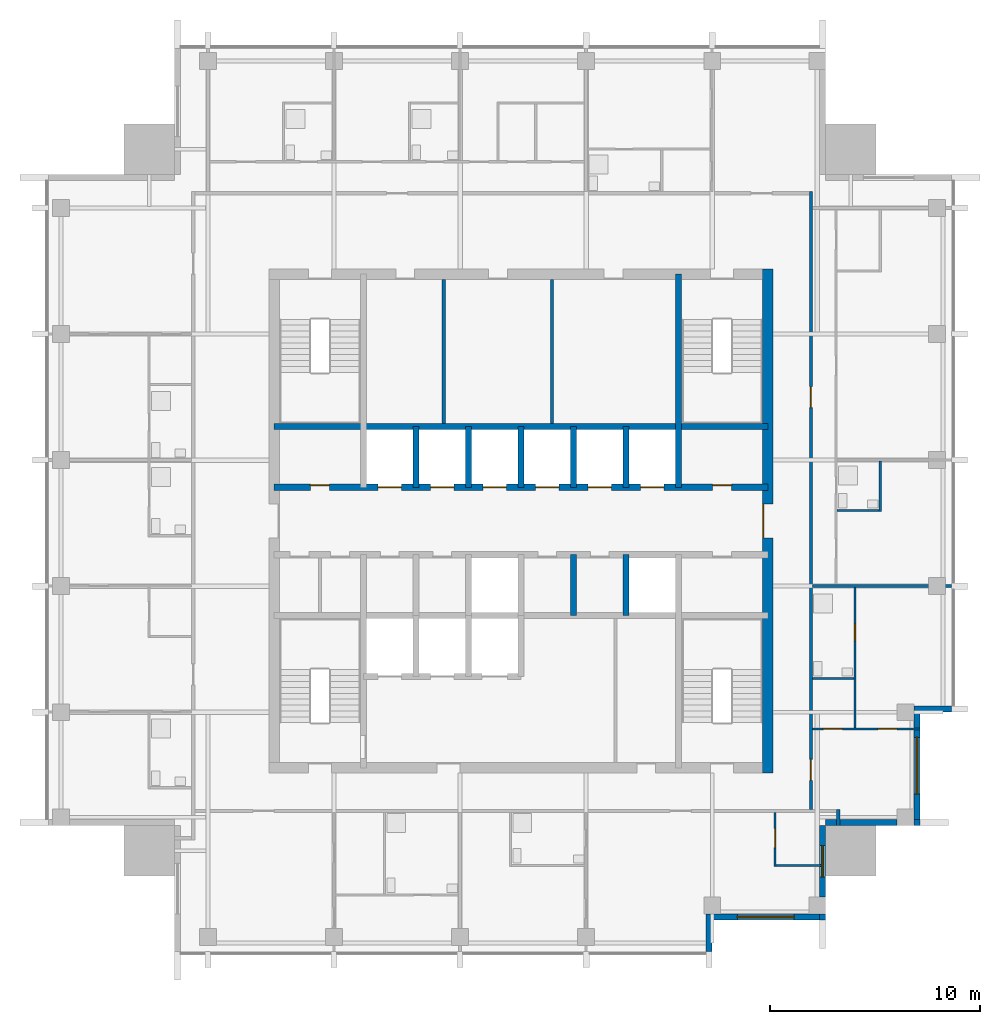
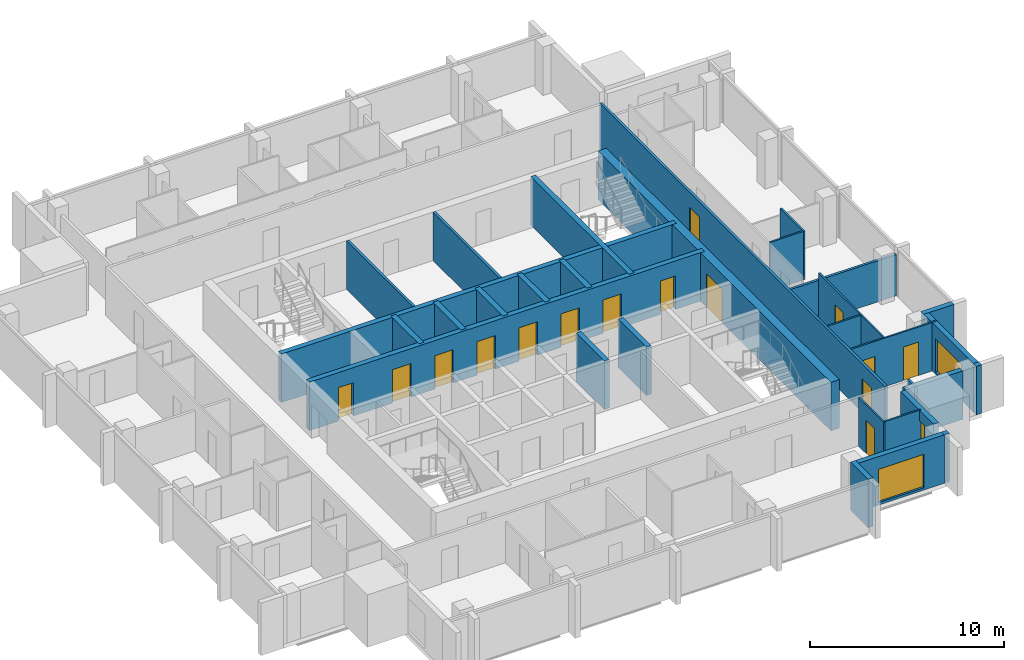
# One storey, part 5 of 9: 31 walls, 15 doors, 3 windows, 18 openings.
"""IFC4 building model written with IfcOpenShell, lengths in metres."""

from ifc_helpers import new_model, si_unit, direction, frame, frame_2d, origin, place, context, subcontext, project, spatial, rectangle, extrude, material, layer, layer_set, type_object, element, fill, save


model = new_model("IFC4")

# Units and contexts
model_context = context("Model", 3, precision=1e-05, world=origin(), true_north=direction((0.0, 1.0)))
body_context = subcontext(model_context, "Body", "Model", "MODEL_VIEW")
ifc_project = project(units=[si_unit("LENGTHUNIT", "METRE"), si_unit("AREAUNIT", "SQUARE_METRE"), si_unit("VOLUMEUNIT", "CUBIC_METRE"), si_unit("PLANEANGLEUNIT", "RADIAN"), si_unit("MASSUNIT", "GRAM", prefix="KILO")], contexts=[model_context])

# Site, building, storey
site_placement = place(None, origin())
site = spatial("IfcSite", under=ifc_project, at=site_placement, CompositionType="ELEMENT")
building_placement = place(site_placement, origin())
building = spatial("IfcBuilding", under=site, at=building_placement, Name="Amberfall Residences", CompositionType="ELEMENT")
storey_placement = place(building_placement, frame((0.0, 0.0, 252.10009765625)))
storey = spatial("IfcBuildingStorey", under=building, at=storey_placement, Name="L67", CompositionType="ELEMENT", Elevation=252.10009765625)

# Walls
ifc_material_1 = material(Name="Pale stone cladding on insulated backing", Category="masonry")
ifc_layer_1 = layer(ifc_material_1, 0.300048828125)
ifc_layer_set_1 = layer_set([ifc_layer_1], Name="Bronze clad wall 300")
wall_type_1 = type_object("IfcWallType", Name="Bronze clad wall 300", PredefinedType="SOLIDWALL", material=ifc_layer_set_1)
wall_1_placement = place(storey_placement, frame((83.449951171875, 25.0, 0.0), z_axis=(0.0, 0.0, 1.0), x_axis=(0.0, 1.0, 0.0)))
element("IfcWall", 1, at=wall_1_placement, inside=storey, type_object=wall_type_1, Name="External wall L67 S", PredefinedType="SOLIDWALL", context=body_context, shape_type="SweptSolid", body=[
    extrude(rectangle(XDim=1.800048828125, YDim=0.300048828125, at=frame_2d((0.89990234375, 0.0))), origin(), (0.0, 0.0, 1.0), 3.0498046875),
])
wall_2_placement = place(storey_placement, frame((88.85009765625, 26.5, 0.0), z_axis=(0.0, 0.0, 1.0), x_axis=(0.0, 1.0, 0.0)))
element("IfcWall", 2, at=wall_2_placement, inside=storey, type_object=wall_type_1, Name="External wall L67 SE", PredefinedType="SOLIDWALL", context=body_context, shape_type="SweptSolid", body=[
    extrude(rectangle(XDim=0.300048828125, YDim=0.300048828125, at=frame_2d((0.14990234375, 0.0))), origin(), (0.0, 0.0, 1.0), 3.0498046875),
])

# Wall, opening, window
wall_3_placement = place(storey_placement, frame((88.85009765625, 27.60009765625, 0.0), z_axis=(0.0, 0.0, 1.0), x_axis=(0.0, 1.0, 0.0)))
wall_3 = element("IfcWall", 3, at=wall_3_placement, inside=storey, type_object=wall_type_1, Name="External wall L67 SE", PredefinedType="SOLIDWALL", context=body_context, shape_type="SweptSolid", body=[
    extrude(rectangle(XDim=3.39990234375, YDim=0.300048828125, at=frame_2d((1.699951171875, 0.0))), origin(), (0.0, 0.0, 1.0), 3.0498046875),
])
opening_1_placement = place(wall_3_placement, frame((0.949951171875, 0.0, 0.89990234375)))
opening_1 = element("IfcOpeningElement", 4, at=opening_1_placement, cuts=wall_3, Name="Opening WN1", PredefinedType="OPENING", context=body_context, shape_type="SweptSolid", body=[
    extrude(rectangle(XDim=1.5, YDim=1.5, at=frame_2d((0.75, 0.75))), frame((0.0, 0.159912109375, 0.0), z_axis=(0.0, -1.0, 0.0), x_axis=(1.0, 0.0, 0.0)), (0.0, 0.0, 1.0), 0.320068359375),
])
ifc_material_2 = material(Name="Bronze aluminium framed glazing", Category="aluminium")
window_type_1 = type_object("IfcWindowType", Name="Window 1500 x 1500 bronze", PartitioningType="DOUBLE_PANEL_VERTICAL", PredefinedType="WINDOW", material=ifc_material_2)
window_1_placement = place(opening_1_placement, origin())
window_1 = element("IfcWindow", 5, at=window_1_placement, inside=storey, type_object=window_type_1, Name="Window L67 SE", OverallHeight=1.5, OverallWidth=1.5, PartitioningType="DOUBLE_PANEL_VERTICAL", PredefinedType="WINDOW", context=body_context, shape_type="SweptSolid", body=[
    extrude(rectangle(XDim=1.5, YDim=1.5, at=frame_2d((0.75, 0.75))), frame((0.0, 0.030029296875, 0.0), z_axis=(0.0, -1.0, 0.0), x_axis=(1.0, 0.0, 0.0)), (0.0, 0.0, 1.0), 0.06005859375),
])
fill(opening_1, window_1)

# Walls
wall_4_placement = place(storey_placement, frame((89.0, 31.14990234375, 0.0), z_axis=(0.0, 0.0, 1.0), x_axis=(1.0, 0.0, 0.0)))
element("IfcWall", 6, at=wall_4_placement, inside=storey, type_object=wall_type_1, Name="External wall L67 SE", PredefinedType="SOLIDWALL", context=body_context, shape_type="SweptSolid", body=[
    extrude(rectangle(XDim=3.39990234375, YDim=0.300048828125, at=frame_2d((1.699951171875, 0.0))), origin(), (0.0, 0.0, 1.0), 3.0498046875),
])
wall_5_placement = place(storey_placement, frame((93.199951171875, 31.14990234375, 0.0), z_axis=(0.0, 0.0, 1.0), x_axis=(1.0, 0.0, 0.0)))
element("IfcWall", 7, at=wall_5_placement, inside=storey, type_object=wall_type_1, Name="External wall L67 SE", PredefinedType="SOLIDWALL", context=body_context, shape_type="SweptSolid", body=[
    extrude(rectangle(XDim=0.300048828125, YDim=0.300048828125, at=frame_2d((0.14990234375, 0.0))), origin(), (0.0, 0.0, 1.0), 3.0498046875),
])
wall_6_placement = place(storey_placement, frame((93.199951171875, 36.550048828125, 0.0), z_axis=(0.0, 0.0, 1.0), x_axis=(1.0, 0.0, 0.0)))
element("IfcWall", 8, at=wall_6_placement, inside=storey, type_object=wall_type_1, Name="External wall L67 E", PredefinedType="SOLIDWALL", context=body_context, shape_type="SweptSolid", body=[
    extrude(rectangle(XDim=1.800048828125, YDim=0.300048828125, at=frame_2d((0.89990234375, 0.0))), origin(), (0.0, 0.0, 1.0), 3.0498046875),
])

# Wall, opening, window
wall_7_placement = place(storey_placement, frame((83.60009765625, 26.64990234375, 0.0), z_axis=(0.0, 0.0, 1.0), x_axis=(1.0, 0.0, 0.0)))
wall_7 = element("IfcWall", 9, at=wall_7_placement, inside=storey, type_object=wall_type_1, Name="Stone wall L67 S", PredefinedType="SOLIDWALL", context=body_context, shape_type="SweptSolid", body=[
    extrude(rectangle(XDim=5.099853515625, YDim=0.300048828125, at=frame_2d((2.5498046875, 0.0))), origin(), (0.0, 0.0, 1.0), 3.0498046875),
])
opening_2_placement = place(wall_7_placement, frame((1.199951171875, 0.0, 0.14990234375)))
opening_2 = element("IfcOpeningElement", 10, at=opening_2_placement, cuts=wall_7, Name="Opening WN4", PredefinedType="OPENING", context=body_context, shape_type="SweptSolid", body=[
    extrude(rectangle(XDim=2.699951171875, YDim=2.10009765625, at=frame_2d((1.35009765625, 1.050048828125))), frame((0.0, 0.159912109375, 0.0), z_axis=(0.0, -1.0, 0.0), x_axis=(1.0, 0.0, 0.0)), (0.0, 0.0, 1.0), 0.320068359375),
])
window_type_2 = type_object("IfcWindowType", Name="Glazed opening 2700 x 2100 bronze", PartitioningType="DOUBLE_PANEL_VERTICAL", PredefinedType="WINDOW", material=ifc_material_2)
window_2_placement = place(opening_2_placement, origin())
window_2 = element("IfcWindow", 11, at=window_2_placement, inside=storey, type_object=window_type_2, Name="Window L67 S", OverallHeight=2.10009765625, OverallWidth=2.699951171875, PartitioningType="DOUBLE_PANEL_VERTICAL", PredefinedType="WINDOW", context=body_context, shape_type="SweptSolid", body=[
    extrude(rectangle(XDim=2.699951171875, YDim=2.10009765625, at=frame_2d((1.35009765625, 1.050048828125))), frame((0.0, 0.030029296875, 0.0), z_axis=(0.0, -1.0, 0.0), x_axis=(1.0, 0.0, 0.0)), (0.0, 0.0, 1.0), 0.06005859375),
])
fill(opening_2, window_2)

wall_8_placement = place(storey_placement, frame((93.35009765625, 31.300048828125, 0.0), z_axis=(0.0, 0.0, 1.0), x_axis=(0.0, 1.0, 0.0)))
wall_8 = element("IfcWall", 12, at=wall_8_placement, inside=storey, type_object=wall_type_1, Name="Stone wall L67 E", PredefinedType="SOLIDWALL", context=body_context, shape_type="SweptSolid", body=[
    extrude(rectangle(XDim=5.099853515625, YDim=0.300048828125, at=frame_2d((2.5498046875, 0.0))), origin(), (0.0, 0.0, 1.0), 3.0498046875),
])
opening_3_placement = place(wall_8_placement, frame((1.199951171875, 0.0, 0.14990234375)))
opening_3 = element("IfcOpeningElement", 13, at=opening_3_placement, cuts=wall_8, Name="Opening WN4", PredefinedType="OPENING", context=body_context, shape_type="SweptSolid", body=[
    extrude(rectangle(XDim=2.699951171875, YDim=2.10009765625, at=frame_2d((1.35009765625, 1.050048828125))), frame((0.0, 0.159912109375, 0.0), z_axis=(0.0, -1.0, 0.0), x_axis=(1.0, 0.0, 0.0)), (0.0, 0.0, 1.0), 0.320068359375),
])
window_3_placement = place(opening_3_placement, origin())
window_3 = element("IfcWindow", 14, at=window_3_placement, inside=storey, type_object=window_type_2, Name="Window L67 E", OverallHeight=2.10009765625, OverallWidth=2.699951171875, PartitioningType="DOUBLE_PANEL_VERTICAL", PredefinedType="WINDOW", context=body_context, shape_type="SweptSolid", body=[
    extrude(rectangle(XDim=2.699951171875, YDim=2.10009765625, at=frame_2d((1.35009765625, 1.050048828125))), frame((0.0, 0.030029296875, 0.0), z_axis=(0.0, -1.0, 0.0), x_axis=(1.0, 0.0, 0.0)), (0.0, 0.0, 1.0), 0.06005859375),
])
fill(opening_3, window_3)

# Wall, openings, doors
ifc_material_3 = material(Name="Concrete C50", Category="concrete")
ifc_layer_2 = layer(ifc_material_3, 0.300048828125)
ifc_layer_set_2 = layer_set([ifc_layer_2], Name="Core wall 300 C50")
wall_type_2 = type_object("IfcWallType", Name="Core wall 300 C50", PredefinedType="SHEAR", material=ifc_layer_set_2)
wall_9_placement = place(storey_placement, frame((62.75, 47.10009765625, 0.0), z_axis=(0.0, 0.0, 1.0), x_axis=(1.0, 0.0, 0.0)))
wall_9 = element("IfcWall", 15, at=wall_9_placement, inside=storey, type_object=wall_type_2, Name="Core wall RW10 L67 H136", PredefinedType="SHEAR", context=body_context, shape_type="SweptSolid", body=[
    extrude(rectangle(XDim=23.5, YDim=0.300048828125, at=frame_2d((11.75, 0.0))), origin(), (0.0, 0.0, 1.0), 3.0498046875),
])
opening_4_placement = place(wall_9_placement, frame((1.72509765625, 0.0, 0.0)))
opening_4 = element("IfcOpeningElement", 16, at=opening_4_placement, cuts=wall_9, Name="Opening RD1", PredefinedType="OPENING", context=body_context, shape_type="SweptSolid", body=[
    extrude(rectangle(XDim=0.89990234375, YDim=2.10009765625, at=frame_2d((0.449951171875, 1.050048828125))), frame((0.0, 0.159912109375, 0.0), z_axis=(0.0, -1.0, 0.0), x_axis=(1.0, 0.0, 0.0)), (0.0, 0.0, 1.0), 0.320068359375),
])
opening_5_placement = place(wall_9_placement, frame((20.875, 0.0, 0.0)))
opening_5 = element("IfcOpeningElement", 17, at=opening_5_placement, cuts=wall_9, Name="Opening RD1", PredefinedType="OPENING", context=body_context, shape_type="SweptSolid", body=[
    extrude(rectangle(XDim=0.89990234375, YDim=2.10009765625, at=frame_2d((0.449951171875, 1.050048828125))), frame((0.0, 0.159912109375, 0.0), z_axis=(0.0, -1.0, 0.0), x_axis=(1.0, 0.0, 0.0)), (0.0, 0.0, 1.0), 0.320068359375),
])
opening_6_placement = place(wall_9_placement, frame((4.949951171875, 0.0, 0.0)))
opening_6 = element("IfcOpeningElement", 18, at=opening_6_placement, cuts=wall_9, Name="Opening LD1", PredefinedType="OPENING", context=body_context, shape_type="SweptSolid", body=[
    extrude(rectangle(XDim=1.10009765625, YDim=2.10009765625, at=frame_2d((0.550048828125, 1.050048828125))), frame((0.0, 0.159912109375, 0.0), z_axis=(0.0, -1.0, 0.0), x_axis=(1.0, 0.0, 0.0)), (0.0, 0.0, 1.0), 0.320068359375),
])
opening_7_placement = place(wall_9_placement, frame((7.449951171875, 0.0, 0.0)))
opening_7 = element("IfcOpeningElement", 19, at=opening_7_placement, cuts=wall_9, Name="Opening LD1", PredefinedType="OPENING", context=body_context, shape_type="SweptSolid", body=[
    extrude(rectangle(XDim=1.10009765625, YDim=2.10009765625, at=frame_2d((0.550048828125, 1.050048828125))), frame((0.0, 0.159912109375, 0.0), z_axis=(0.0, -1.0, 0.0), x_axis=(1.0, 0.0, 0.0)), (0.0, 0.0, 1.0), 0.320068359375),
])
opening_8_placement = place(wall_9_placement, frame((9.949951171875, 0.0, 0.0)))
opening_8 = element("IfcOpeningElement", 20, at=opening_8_placement, cuts=wall_9, Name="Opening LD1", PredefinedType="OPENING", context=body_context, shape_type="SweptSolid", body=[
    extrude(rectangle(XDim=1.10009765625, YDim=2.10009765625, at=frame_2d((0.550048828125, 1.050048828125))), frame((0.0, 0.159912109375, 0.0), z_axis=(0.0, -1.0, 0.0), x_axis=(1.0, 0.0, 0.0)), (0.0, 0.0, 1.0), 0.320068359375),
])
opening_9_placement = place(wall_9_placement, frame((12.449951171875, 0.0, 0.0)))
opening_9 = element("IfcOpeningElement", 21, at=opening_9_placement, cuts=wall_9, Name="Opening LD1", PredefinedType="OPENING", context=body_context, shape_type="SweptSolid", body=[
    extrude(rectangle(XDim=1.10009765625, YDim=2.10009765625, at=frame_2d((0.550048828125, 1.050048828125))), frame((0.0, 0.159912109375, 0.0), z_axis=(0.0, -1.0, 0.0), x_axis=(1.0, 0.0, 0.0)), (0.0, 0.0, 1.0), 0.320068359375),
])
opening_10_placement = place(wall_9_placement, frame((14.949951171875, 0.0, 0.0)))
opening_10 = element("IfcOpeningElement", 22, at=opening_10_placement, cuts=wall_9, Name="Opening LD1", PredefinedType="OPENING", context=body_context, shape_type="SweptSolid", body=[
    extrude(rectangle(XDim=1.10009765625, YDim=2.10009765625, at=frame_2d((0.550048828125, 1.050048828125))), frame((0.0, 0.159912109375, 0.0), z_axis=(0.0, -1.0, 0.0), x_axis=(1.0, 0.0, 0.0)), (0.0, 0.0, 1.0), 0.320068359375),
])
opening_11_placement = place(wall_9_placement, frame((17.449951171875, 0.0, 0.0)))
opening_11 = element("IfcOpeningElement", 23, at=opening_11_placement, cuts=wall_9, Name="Opening LD1", PredefinedType="OPENING", context=body_context, shape_type="SweptSolid", body=[
    extrude(rectangle(XDim=1.10009765625, YDim=2.10009765625, at=frame_2d((0.550048828125, 1.050048828125))), frame((0.0, 0.159912109375, 0.0), z_axis=(0.0, -1.0, 0.0), x_axis=(1.0, 0.0, 0.0)), (0.0, 0.0, 1.0), 0.320068359375),
])
ifc_material_4 = material(Name="Steel fire door set", Category="steel")
door_type_1 = type_object("IfcDoorType", Name="Lift landing door 1100 x 2100", OperationType="DOUBLE_DOOR_SLIDING", PredefinedType="DOOR", material=ifc_material_4)
door_1_placement = place(opening_6_placement, origin())
door_1 = element("IfcDoor", 24, at=door_1_placement, inside=storey, type_object=door_type_1, Name="Landing door HP1 L67", OperationType="DOUBLE_DOOR_SLIDING", OverallHeight=2.10009765625, OverallWidth=1.10009765625, PredefinedType="DOOR", context=body_context, shape_type="SweptSolid", body=[
    extrude(rectangle(XDim=1.10009765625, YDim=2.10009765625, at=frame_2d((0.550048828125, 1.050048828125))), frame((0.0, 0.02490234375, 0.0), z_axis=(0.0, -1.0, 0.0), x_axis=(1.0, 0.0, 0.0)), (0.0, 0.0, 1.0), 0.050048828125),
])
fill(opening_6, door_1)
door_2_placement = place(opening_7_placement, origin())
door_2 = element("IfcDoor", 25, at=door_2_placement, inside=storey, type_object=door_type_1, Name="Landing door HP2 L67", OperationType="DOUBLE_DOOR_SLIDING", OverallHeight=2.10009765625, OverallWidth=1.10009765625, PredefinedType="DOOR", context=body_context, shape_type="SweptSolid", body=[
    extrude(rectangle(XDim=1.10009765625, YDim=2.10009765625, at=frame_2d((0.550048828125, 1.050048828125))), frame((0.0, 0.02490234375, 0.0), z_axis=(0.0, -1.0, 0.0), x_axis=(1.0, 0.0, 0.0)), (0.0, 0.0, 1.0), 0.050048828125),
])
fill(opening_7, door_2)
door_3_placement = place(opening_8_placement, origin())
door_3 = element("IfcDoor", 26, at=door_3_placement, inside=storey, type_object=door_type_1, Name="Landing door HP3 L67", OperationType="DOUBLE_DOOR_SLIDING", OverallHeight=2.10009765625, OverallWidth=1.10009765625, PredefinedType="DOOR", context=body_context, shape_type="SweptSolid", body=[
    extrude(rectangle(XDim=1.10009765625, YDim=2.10009765625, at=frame_2d((0.550048828125, 1.050048828125))), frame((0.0, 0.02490234375, 0.0), z_axis=(0.0, -1.0, 0.0), x_axis=(1.0, 0.0, 0.0)), (0.0, 0.0, 1.0), 0.050048828125),
])
fill(opening_8, door_3)
door_4_placement = place(opening_9_placement, origin())
door_4 = element("IfcDoor", 27, at=door_4_placement, inside=storey, type_object=door_type_1, Name="Landing door HP4 L67", OperationType="DOUBLE_DOOR_SLIDING", OverallHeight=2.10009765625, OverallWidth=1.10009765625, PredefinedType="DOOR", context=body_context, shape_type="SweptSolid", body=[
    extrude(rectangle(XDim=1.10009765625, YDim=2.10009765625, at=frame_2d((0.550048828125, 1.050048828125))), frame((0.0, 0.02490234375, 0.0), z_axis=(0.0, -1.0, 0.0), x_axis=(1.0, 0.0, 0.0)), (0.0, 0.0, 1.0), 0.050048828125),
])
fill(opening_9, door_4)
door_5_placement = place(opening_10_placement, origin())
door_5 = element("IfcDoor", 28, at=door_5_placement, inside=storey, type_object=door_type_1, Name="Landing door HP5 L67", OperationType="DOUBLE_DOOR_SLIDING", OverallHeight=2.10009765625, OverallWidth=1.10009765625, PredefinedType="DOOR", context=body_context, shape_type="SweptSolid", body=[
    extrude(rectangle(XDim=1.10009765625, YDim=2.10009765625, at=frame_2d((0.550048828125, 1.050048828125))), frame((0.0, 0.02490234375, 0.0), z_axis=(0.0, -1.0, 0.0), x_axis=(1.0, 0.0, 0.0)), (0.0, 0.0, 1.0), 0.050048828125),
])
fill(opening_10, door_5)
door_6_placement = place(opening_11_placement, origin())
door_6 = element("IfcDoor", 29, at=door_6_placement, inside=storey, type_object=door_type_1, Name="Landing door HP6 L67", OperationType="DOUBLE_DOOR_SLIDING", OverallHeight=2.10009765625, OverallWidth=1.10009765625, PredefinedType="DOOR", context=body_context, shape_type="SweptSolid", body=[
    extrude(rectangle(XDim=1.10009765625, YDim=2.10009765625, at=frame_2d((0.550048828125, 1.050048828125))), frame((0.0, 0.02490234375, 0.0), z_axis=(0.0, -1.0, 0.0), x_axis=(1.0, 0.0, 0.0)), (0.0, 0.0, 1.0), 0.050048828125),
])
fill(opening_11, door_6)
door_type_2 = type_object("IfcDoorType", Name="Service room door 900 x 2100", OperationType="SINGLE_SWING_LEFT", PredefinedType="DOOR", material=ifc_material_4)
door_7_placement = place(opening_4_placement, origin())
door_7 = element("IfcDoor", 30, at=door_7_placement, inside=storey, type_object=door_type_2, Name="RD1 L67", OperationType="SINGLE_SWING_LEFT", OverallHeight=2.10009765625, OverallWidth=0.89990234375, PredefinedType="DOOR", context=body_context, shape_type="SweptSolid", body=[
    extrude(rectangle(XDim=0.89990234375, YDim=2.10009765625, at=frame_2d((0.449951171875, 1.050048828125))), frame((0.0, 0.1376953125, 0.0), z_axis=(0.0, -1.0, 0.0), x_axis=(1.0, 0.0, 0.0)), (0.0, 0.0, 1.0), 0.050048828125),
])
fill(opening_4, door_7)
door_8_placement = place(opening_5_placement, origin())
door_8 = element("IfcDoor", 31, at=door_8_placement, inside=storey, type_object=door_type_2, Name="RD1 L67", OperationType="SINGLE_SWING_LEFT", OverallHeight=2.10009765625, OverallWidth=0.89990234375, PredefinedType="DOOR", context=body_context, shape_type="SweptSolid", body=[
    extrude(rectangle(XDim=0.89990234375, YDim=2.10009765625, at=frame_2d((0.449951171875, 1.050048828125))), frame((0.0, 0.1376953125, 0.0), z_axis=(0.0, -1.0, 0.0), x_axis=(1.0, 0.0, 0.0)), (0.0, 0.0, 1.0), 0.050048828125),
])
fill(opening_5, door_8)

# Walls
wall_10_placement = place(storey_placement, frame((62.75, 50.0, 0.0), z_axis=(0.0, 0.0, 1.0), x_axis=(1.0, 0.0, 0.0)))
element("IfcWall", 32, at=wall_10_placement, inside=storey, type_object=wall_type_2, Name="Core wall RW10 L67 H165", PredefinedType="SHEAR", context=body_context, shape_type="SweptSolid", body=[
    extrude(rectangle(XDim=23.5, YDim=0.300048828125, at=frame_2d((11.75, 0.0))), origin(), (0.0, 0.0, 1.0), 3.0498046875),
])
wall_11_placement = place(storey_placement, frame((82.0, 47.10009765625, 0.0), z_axis=(0.0, 0.0, 1.0), x_axis=(0.0, 1.0, 0.0)))
element("IfcWall", 33, at=wall_11_placement, inside=storey, type_object=wall_type_2, Name="Core wall RW10 L67 V195N", PredefinedType="SHEAR", context=body_context, shape_type="SweptSolid", body=[
    extrude(rectangle(XDim=10.14990234375, YDim=0.300048828125, at=frame_2d((5.074951171875, 0.0))), origin(), (0.0, 0.0, 1.0), 3.0498046875),
])
for number, where, z_axis, x_axis, name in (
    (34, (69.5, 47.10009765625, 0.0), (0.0, 0.0, 1.0), (0.0, 1.0, 0.0), "Core wall RW10 L67 HPD1"),
    (35, (72.0, 47.10009765625, 0.0), (0.0, 0.0, 1.0), (0.0, 1.0, 0.0), "Core wall RW10 L67 HPD2"),
    (36, (74.5, 47.10009765625, 0.0), (0.0, 0.0, 1.0), (0.0, 1.0, 0.0), "Core wall RW10 L67 HPD3"),
    (37, (77.0, 41.0, 0.0), (0.0, 0.0, 1.0), (0.0, 1.0, 0.0), "Core wall RW10 L67 LPD4"),
    (38, (77.0, 47.10009765625, 0.0), (0.0, 0.0, 1.0), (0.0, 1.0, 0.0), "Core wall RW10 L67 HPD4"),
    (39, (79.5, 41.0, 0.0), (0.0, 0.0, 1.0), (0.0, 1.0, 0.0), "Core wall RW10 L67 LPD5"),
    (40, (79.5, 47.10009765625, 0.0), (0.0, 0.0, 1.0), (0.0, 1.0, 0.0), "Core wall RW10 L67 HPD5"),
):
    element("IfcWall", number, at=place(storey_placement, frame(where, z_axis=z_axis, x_axis=x_axis)), inside=storey, type_object=wall_type_2, Name=name, PredefinedType="SHEAR", context=body_context, shape_type="SweptSolid", body=[
        extrude(rectangle(XDim=2.89990234375, YDim=0.300048828125, at=frame_2d((1.449951171875, 0.0))), origin(), (0.0, 0.0, 1.0), 3.0498046875),
    ])

# Wall, opening, door
ifc_layer_3 = layer(ifc_material_3, 0.5)
ifc_layer_set_3 = layer_set([ifc_layer_3], Name="Core wall 500 C50")
wall_type_3 = type_object("IfcWallType", Name="Core wall 500 C50", PredefinedType="SHEAR", material=ifc_layer_set_3)
wall_12_placement = place(storey_placement, frame((86.25, 33.5, 0.0), z_axis=(0.0, 0.0, 1.0), x_axis=(0.0, 1.0, 0.0)))
wall_12 = element("IfcWall", 41, at=wall_12_placement, inside=storey, type_object=wall_type_3, Name="Core wall RW9 L67 OE", PredefinedType="SHEAR", context=body_context, shape_type="SweptSolid", body=[
    extrude(rectangle(XDim=24.0, YDim=0.5, at=frame_2d((12.0, 0.0))), origin(), (0.0, 0.0, 1.0), 3.0498046875),
])
opening_12_placement = place(wall_12_placement, frame((11.199951171875, 0.0, 0.0)))
opening_12 = element("IfcOpeningElement", 42, at=opening_12_placement, cuts=wall_12, Name="Opening LB1", PredefinedType="OPENING", context=body_context, shape_type="SweptSolid", body=[
    extrude(rectangle(XDim=1.60009765625, YDim=2.10009765625, at=frame_2d((0.800048828125, 1.050048828125))), frame((0.0, 0.260009765625, 0.0), z_axis=(0.0, -1.0, 0.0), x_axis=(1.0, 0.0, 0.0)), (0.0, 0.0, 1.0), 0.52001953125),
])
door_type_3 = type_object("IfcDoorType", Name="Lift lobby double door 1600 x 2100", OperationType="DOUBLE_DOOR_SINGLE_SWING", PredefinedType="DOOR", material=ifc_material_4)
door_9_placement = place(opening_12_placement, origin())
door_9 = element("IfcDoor", 43, at=door_9_placement, inside=storey, type_object=door_type_3, Name="LB1 L67", OperationType="DOUBLE_DOOR_SINGLE_SWING", OverallHeight=2.10009765625, OverallWidth=1.60009765625, PredefinedType="DOOR", context=body_context, shape_type="SweptSolid", body=[
    extrude(rectangle(XDim=1.60009765625, YDim=2.10009765625, at=frame_2d((0.800048828125, 1.050048828125))), frame((0.0, 0.2373046875, 0.0), z_axis=(0.0, -1.0, 0.0), x_axis=(1.0, 0.0, 0.0)), (0.0, 0.0, 1.0), 0.050048828125),
])
fill(opening_12, door_9)

ifc_material_5 = material(Name="Gypsum board on metal stud")
ifc_layer_4 = layer(ifc_material_5, 0.10009765625)
ifc_layer_set_4 = layer_set([ifc_layer_4], Name="Flat partition 100")
wall_type_4 = type_object("IfcWallType", Name="Flat partition 100", PredefinedType="PARTITIONING", material=ifc_layer_set_4)
wall_13_placement = place(storey_placement, frame((86.60009765625, 31.625, 0.0), z_axis=(0.0, 0.0, 1.0), x_axis=(0.0, -1.0, 0.0)))
wall_13 = element("IfcWall", 44, at=wall_13_placement, inside=storey, type_object=wall_type_4, Name="Partition 016", PredefinedType="PARTITIONING", context=body_context, shape_type="SweptSolid", body=[
    extrude(rectangle(XDim=2.574951171875, YDim=0.10009765625, at=frame_2d((1.28759765625, 0.0))), origin(), (0.0, 0.0, 1.0), 3.0498046875),
])
opening_13_placement = place(wall_13_placement, frame((0.77490234375, 0.0, 0.0)))
opening_13 = element("IfcOpeningElement", 45, at=opening_13_placement, cuts=wall_13, Name="Opening D41", PredefinedType="OPENING", context=body_context, shape_type="SweptSolid", body=[
    extrude(rectangle(XDim=0.89990234375, YDim=2.10009765625, at=frame_2d((0.449951171875, 1.050048828125))), frame((0.0, 0.06005859375, 0.0), z_axis=(0.0, -1.0, 0.0), x_axis=(1.0, 0.0, 0.0)), (0.0, 0.0, 1.0), 0.1201171875),
])
ifc_material_6 = material(Name="Timber", Category="wood")
door_type_4 = type_object("IfcDoorType", Name="Internal door 900 x 2100", OperationType="SINGLE_SWING_LEFT", PredefinedType="DOOR", material=ifc_material_6)
door_10_placement = place(opening_13_placement, origin())
door_10 = element("IfcDoor", 46, at=door_10_placement, inside=storey, type_object=door_type_4, Name="Door 6702 kitchen", OperationType="SINGLE_SWING_LEFT", OverallHeight=2.10009765625, OverallWidth=0.89990234375, PredefinedType="DOOR", context=body_context, shape_type="SweptSolid", body=[
    extrude(rectangle(XDim=0.89990234375, YDim=2.10009765625, at=frame_2d((0.449951171875, 1.050048828125))), frame((0.0, 0.02490234375, 0.0), z_axis=(0.0, -1.0, 0.0), x_axis=(1.0, 0.0, 0.0)), (0.0, 0.0, 1.0), 0.050048828125),
])
fill(opening_13, door_10)

wall_14_placement = place(storey_placement, frame((90.39990234375, 35.64990234375, 0.0), z_axis=(0.0, 0.0, 1.0), x_axis=(0.0, 1.0, 0.0)))
wall_14 = element("IfcWall", 47, at=wall_14_placement, inside=storey, type_object=wall_type_4, Name="Partition 018", PredefinedType="PARTITIONING", context=body_context, shape_type="SweptSolid", body=[
    extrude(rectangle(XDim=6.675048828125, YDim=0.10009765625, at=frame_2d((3.33740234375, 0.0))), origin(), (0.0, 0.0, 1.0), 3.0498046875),
])
opening_14_placement = place(wall_14_placement, frame((4.14990234375, 0.0, 0.0)))
opening_14 = element("IfcOpeningElement", 48, at=opening_14_placement, cuts=wall_14, Name="Opening D42", PredefinedType="OPENING", context=body_context, shape_type="SweptSolid", body=[
    extrude(rectangle(XDim=0.800048828125, YDim=2.10009765625, at=frame_2d((0.39990234375, 1.050048828125))), frame((0.0, 0.06005859375, 0.0), z_axis=(0.0, -1.0, 0.0), x_axis=(1.0, 0.0, 0.0)), (0.0, 0.0, 1.0), 0.1201171875),
])
door_type_5 = type_object("IfcDoorType", Name="Bathroom door 800 x 2100", OperationType="SINGLE_SWING_LEFT", PredefinedType="DOOR", material=ifc_material_6)
door_11_placement = place(opening_14_placement, origin())
door_11 = element("IfcDoor", 49, at=door_11_placement, inside=storey, type_object=door_type_5, Name="Door 6703 bath1", OperationType="SINGLE_SWING_LEFT", OverallHeight=2.10009765625, OverallWidth=0.800048828125, PredefinedType="DOOR", context=body_context, shape_type="SweptSolid", body=[
    extrude(rectangle(XDim=0.800048828125, YDim=2.10009765625, at=frame_2d((0.39990234375, 1.050048828125))), frame((0.0, 0.02490234375, 0.0), z_axis=(0.0, -1.0, 0.0), x_axis=(1.0, 0.0, 0.0)), (0.0, 0.0, 1.0), 0.050048828125),
])
fill(opening_14, door_11)

# Walls
wall_15_placement = place(storey_placement, frame((91.60009765625, 45.949951171875, 0.0), z_axis=(0.0, 0.0, 1.0), x_axis=(0.0, 1.0, 0.0)))
element("IfcWall", 50, at=wall_15_placement, inside=storey, type_object=wall_type_4, Name="Partition 019", PredefinedType="PARTITIONING", context=body_context, shape_type="SweptSolid", body=[
    extrude(rectangle(XDim=2.400146484375, YDim=0.10009765625, at=frame_2d((1.2001953125, 0.0))), origin(), (0.0, 0.0, 1.0), 3.0498046875),
])
wall_16_placement = place(storey_placement, frame((89.550048828125, 46.0, 0.0), z_axis=(0.0, 0.0, 1.0), x_axis=(1.0, 0.0, 0.0)))
element("IfcWall", 51, at=wall_16_placement, inside=storey, type_object=wall_type_4, Name="Partition 030", PredefinedType="PARTITIONING", context=body_context, shape_type="SweptSolid", body=[
    extrude(rectangle(XDim=2.0, YDim=0.10009765625, at=frame_2d((1.0, 0.0))), origin(), (0.0, 0.0, 1.0), 3.0498046875),
])
wall_17_placement = place(storey_placement, frame((88.375, 38.0, 0.0), z_axis=(0.0, 0.0, 1.0), x_axis=(1.0, 0.0, 0.0)))
element("IfcWall", 52, at=wall_17_placement, inside=storey, type_object=wall_type_4, Name="Partition 034", PredefinedType="PARTITIONING", context=body_context, shape_type="SweptSolid", body=[
    extrude(rectangle(XDim=1.97509765625, YDim=0.10009765625, at=frame_2d((0.987548828125, 0.0))), origin(), (0.0, 0.0, 1.0), 3.0498046875),
])

# Wall, openings, doors
wall_18_placement = place(storey_placement, frame((88.375, 35.60009765625, 0.0), z_axis=(0.0, 0.0, 1.0), x_axis=(1.0, 0.0, 0.0)))
wall_18 = element("IfcWall", 53, at=wall_18_placement, inside=storey, type_object=wall_type_4, Name="Partition 036", PredefinedType="PARTITIONING", context=body_context, shape_type="SweptSolid", body=[
    extrude(rectangle(XDim=5.125, YDim=0.10009765625, at=frame_2d((2.5625, 0.0))), origin(), (0.0, 0.0, 1.0), 3.0498046875),
])
opening_15_placement = place(wall_18_placement, frame((0.52490234375, 0.0, 0.0)))
opening_15 = element("IfcOpeningElement", 54, at=opening_15_placement, cuts=wall_18, Name="Opening D41", PredefinedType="OPENING", context=body_context, shape_type="SweptSolid", body=[
    extrude(rectangle(XDim=0.89990234375, YDim=2.10009765625, at=frame_2d((0.449951171875, 1.050048828125))), frame((0.0, 0.06005859375, 0.0), z_axis=(0.0, -1.0, 0.0), x_axis=(1.0, 0.0, 0.0)), (0.0, 0.0, 1.0), 0.1201171875),
])
opening_16_placement = place(wall_18_placement, frame((3.125, 0.0, 0.0)))
opening_16 = element("IfcOpeningElement", 55, at=opening_16_placement, cuts=wall_18, Name="Opening D41", PredefinedType="OPENING", context=body_context, shape_type="SweptSolid", body=[
    extrude(rectangle(XDim=0.89990234375, YDim=2.10009765625, at=frame_2d((0.449951171875, 1.050048828125))), frame((0.0, 0.06005859375, 0.0), z_axis=(0.0, -1.0, 0.0), x_axis=(1.0, 0.0, 0.0)), (0.0, 0.0, 1.0), 0.1201171875),
])
door_12_placement = place(opening_15_placement, origin())
door_12 = element("IfcDoor", 56, at=door_12_placement, inside=storey, type_object=door_type_4, Name="Door 6703 kitchen", OperationType="SINGLE_SWING_LEFT", OverallHeight=2.10009765625, OverallWidth=0.89990234375, PredefinedType="DOOR", context=body_context, shape_type="SweptSolid", body=[
    extrude(rectangle(XDim=0.89990234375, YDim=2.10009765625, at=frame_2d((0.449951171875, 1.050048828125))), frame((0.0, 0.02490234375, 0.0), z_axis=(0.0, -1.0, 0.0), x_axis=(1.0, 0.0, 0.0)), (0.0, 0.0, 1.0), 0.050048828125),
])
fill(opening_15, door_12)
door_13_placement = place(opening_16_placement, origin())
door_13 = element("IfcDoor", 57, at=door_13_placement, inside=storey, type_object=door_type_4, Name="Door 6703 bedroom1", OperationType="SINGLE_SWING_LEFT", OverallHeight=2.10009765625, OverallWidth=0.89990234375, PredefinedType="DOOR", context=body_context, shape_type="SweptSolid", body=[
    extrude(rectangle(XDim=0.89990234375, YDim=2.10009765625, at=frame_2d((0.449951171875, 1.050048828125))), frame((0.0, 0.02490234375, 0.0), z_axis=(0.0, -1.0, 0.0), x_axis=(1.0, 0.0, 0.0)), (0.0, 0.0, 1.0), 0.050048828125),
])
fill(opening_16, door_13)

# Wall
wall_19_placement = place(storey_placement, frame((86.64990234375, 29.10009765625, 0.0), z_axis=(0.0, 0.0, 1.0), x_axis=(1.0, 0.0, 0.0)))
element("IfcWall", 58, at=wall_19_placement, inside=storey, type_object=wall_type_4, Name="Partition 039", PredefinedType="PARTITIONING", context=body_context, shape_type="SweptSolid", body=[
    extrude(rectangle(XDim=2.150146484375, YDim=0.10009765625, at=frame_2d((1.0751953125, 0.0))), origin(), (0.0, 0.0, 1.0), 3.0498046875),
])

# Wall, openings, doors
ifc_material_7 = material(Name="Blockwork, plastered", Category="masonry")
ifc_layer_5 = layer(ifc_material_7, 0.14990234375)
ifc_layer_set_5 = layer_set([ifc_layer_5], Name="Flat separating wall 150")
wall_type_5 = type_object("IfcWallType", Name="Flat separating wall 150", PredefinedType="PARTITIONING", material=ifc_layer_set_5)
wall_20_placement = place(storey_placement, frame((88.300048828125, 61.175048828125, 0.0), z_axis=(0.0, 0.0, 1.0), x_axis=(0.0, -1.0, 0.0)))
wall_20 = element("IfcWall", 59, at=wall_20_placement, inside=storey, type_object=wall_type_5, Name="Separating wall 045", PredefinedType="PARTITIONING", context=body_context, shape_type="SweptSolid", body=[
    extrude(rectangle(XDim=29.400146484375, YDim=0.14990234375, at=frame_2d((14.7001953125, 0.0))), origin(), (0.0, 0.0, 1.0), 3.0498046875),
])
opening_17_placement = place(wall_20_placement, frame((27.02490234375, 0.0, 0.0)))
opening_17 = element("IfcOpeningElement", 60, at=opening_17_placement, cuts=wall_20, Name="Opening D40", PredefinedType="OPENING", context=body_context, shape_type="SweptSolid", body=[
    extrude(rectangle(XDim=1.0, YDim=2.10009765625, at=frame_2d((0.5, 1.050048828125))), frame((0.0, 0.0849609375, 0.0), z_axis=(0.0, -1.0, 0.0), x_axis=(1.0, 0.0, 0.0)), (0.0, 0.0, 1.0), 0.169921875),
])
opening_18_placement = place(wall_20_placement, frame((9.27490234375, 0.0, 0.0)))
opening_18 = element("IfcOpeningElement", 61, at=opening_18_placement, cuts=wall_20, Name="Opening D40", PredefinedType="OPENING", context=body_context, shape_type="SweptSolid", body=[
    extrude(rectangle(XDim=1.0, YDim=2.10009765625, at=frame_2d((0.5, 1.050048828125))), frame((0.0, 0.0849609375, 0.0), z_axis=(0.0, -1.0, 0.0), x_axis=(1.0, 0.0, 0.0)), (0.0, 0.0, 1.0), 0.169921875),
])
ifc_material_8 = material(Name="Timber, fire-rated", Category="wood")
door_type_6 = type_object("IfcDoorType", Name="Flat entrance door FD60 1000 x 2100", OperationType="SINGLE_SWING_LEFT", PredefinedType="DOOR", material=ifc_material_8)
door_14_placement = place(opening_17_placement, origin())
door_14 = element("IfcDoor", 62, at=door_14_placement, inside=storey, type_object=door_type_6, Name="Door 6703 entrance", OperationType="SINGLE_SWING_LEFT", OverallHeight=2.10009765625, OverallWidth=1.0, PredefinedType="DOOR", context=body_context, shape_type="SweptSolid", body=[
    extrude(rectangle(XDim=1.0, YDim=2.10009765625, at=frame_2d((0.5, 1.050048828125))), frame((0.0, 0.02490234375, 0.0), z_axis=(0.0, -1.0, 0.0), x_axis=(1.0, 0.0, 0.0)), (0.0, 0.0, 1.0), 0.050048828125),
])
fill(opening_17, door_14)
door_15_placement = place(opening_18_placement, origin())
door_15 = element("IfcDoor", 63, at=door_15_placement, inside=storey, type_object=door_type_6, Name="Door 6704 entrance", OperationType="SINGLE_SWING_LEFT", OverallHeight=2.10009765625, OverallWidth=1.0, PredefinedType="DOOR", context=body_context, shape_type="SweptSolid", body=[
    extrude(rectangle(XDim=1.0, YDim=2.10009765625, at=frame_2d((0.5, 1.050048828125))), frame((0.0, 0.02490234375, 0.0), z_axis=(0.0, -1.0, 0.0), x_axis=(1.0, 0.0, 0.0)), (0.0, 0.0, 1.0), 0.050048828125),
])
fill(opening_18, door_15)

# Walls
wall_21_placement = place(storey_placement, frame((89.60009765625, 31.0, 0.0), z_axis=(0.0, 0.0, 1.0), x_axis=(0.0, 1.0, 0.0)))
element("IfcWall", 64, at=wall_21_placement, inside=storey, type_object=wall_type_5, Name="Separating wall 046", PredefinedType="PARTITIONING", context=body_context, shape_type="SweptSolid", body=[
    extrude(rectangle(XDim=0.77490234375, YDim=0.14990234375, at=frame_2d((0.387451171875, 0.0))), origin(), (0.0, 0.0, 1.0), 3.0498046875),
])
wall_22_placement = place(storey_placement, frame((88.375, 42.39990234375, 0.0), z_axis=(0.0, 0.0, 1.0), x_axis=(1.0, 0.0, 0.0)))
element("IfcWall", 65, at=wall_22_placement, inside=storey, type_object=wall_type_5, Name="Separating wall 050", PredefinedType="PARTITIONING", context=body_context, shape_type="SweptSolid", body=[
    extrude(rectangle(XDim=6.625, YDim=0.14990234375, at=frame_2d((3.3125, 0.0))), origin(), (0.0, 0.0, 1.0), 2.58984375),
])
ifc_material_9 = material(Name="Concrete blockwork", Category="masonry")
ifc_layer_6 = layer(ifc_material_9, 0.14990234375)
ifc_layer_set_6 = layer_set([ifc_layer_6], Name="Riser wall 150")
wall_type_6 = type_object("IfcWallType", Name="Riser wall 150", PredefinedType="PLUMBINGWALL", material=ifc_layer_set_6)
for number, where, z_axis, x_axis, name in (
    (66, (70.824951171875, 50.14990234375, 0.0), (0.0, 0.0, 1.0), (0.0, 1.0, 0.0), "L67 core wall N0"),
    (67, (75.969970703125, 50.14990234375, 0.0), (0.0, 0.0, 1.0), (0.0, 1.0, 0.0), "L67 core wall N1"),
):
    element("IfcWall", number, at=place(storey_placement, frame(where, z_axis=z_axis, x_axis=x_axis)), inside=storey, type_object=wall_type_6, Name=name, PredefinedType="PLUMBINGWALL", context=body_context, shape_type="SweptSolid", body=[
        extrude(rectangle(XDim=6.85009765625, YDim=0.14990234375, at=frame_2d((3.425048828125, 0.0))), origin(), (0.0, 0.0, 1.0), 3.0498046875),
    ])

save(model, "model.ifc")
